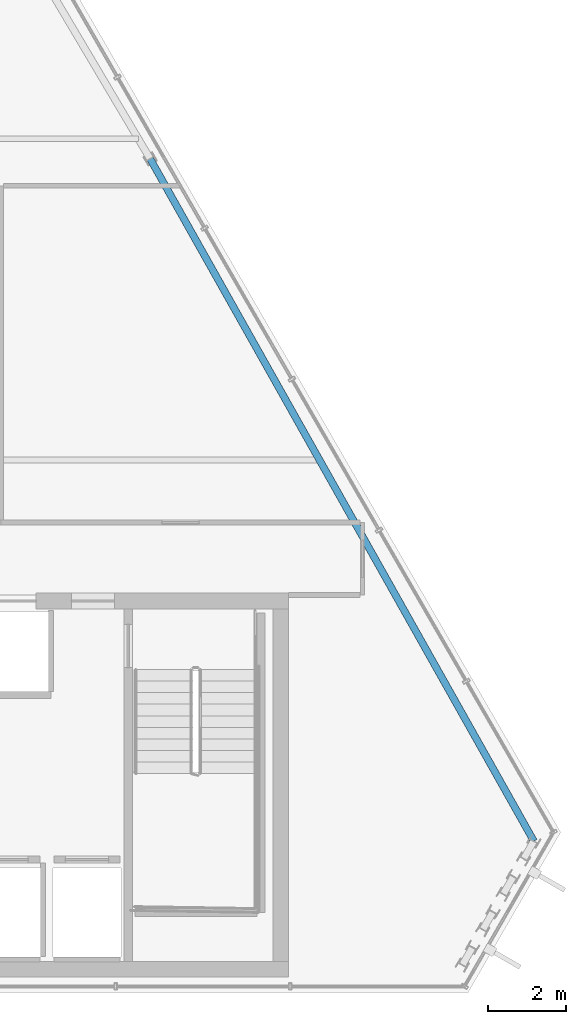
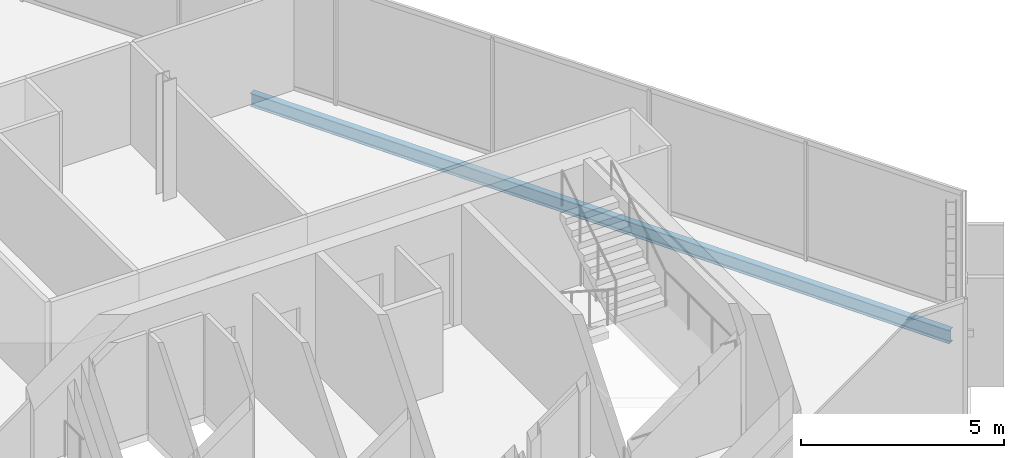
# One storey, part 21 of 32: 1 beam.
"""IFC4 building model written with IfcOpenShell, lengths in metres."""

from ifc_helpers import new_model, si_unit, direction, frame, origin, origin_2d, place, context, subcontext, project, spatial, i_section, extrude, material, material_profile, profile_set, type_object, element, save


model = new_model("IFC4")

# Units and contexts
model_context = context("Model", 3, precision=1e-05, world=origin(), true_north=direction((0.0, 1.0)))
body_context = subcontext(model_context, "Body", "Model", "MODEL_VIEW")
ifc_project = project(units=[si_unit("LENGTHUNIT", "METRE"), si_unit("AREAUNIT", "SQUARE_METRE"), si_unit("VOLUMEUNIT", "CUBIC_METRE"), si_unit("PLANEANGLEUNIT", "RADIAN"), si_unit("MASSUNIT", "GRAM", prefix="KILO")], contexts=[model_context])

# Site, building, storey
site_placement = place(None, origin())
site = spatial("IfcSite", under=ifc_project, at=site_placement, CompositionType="ELEMENT")
building_placement = place(site_placement, origin())
building = spatial("IfcBuilding", under=site, at=building_placement, Name="Ndaravel Arena Tower", CompositionType="ELEMENT")
storey_placement = place(building_placement, frame((0.0, 0.0, 287.10009765625)))
storey = spatial("IfcBuildingStorey", under=building, at=storey_placement, Name="L70", CompositionType="ELEMENT", Elevation=287.10009765625)

# Beam
ifc_material = material(Name="Steel S355", Category="steel")
ifc_material_profile = material_profile(ifc_material, i_section(OverallWidth=0.179931640625, OverallDepth=0.39990234375, WebThickness=0.008544921875, FlangeThickness=0.013427734375, FilletRadius=0.02099609375, at=origin_2d()), Name="IPE 400")
ifc_profile_set = profile_set([ifc_material_profile], Name="Steel S355")
beam_type = type_object("IfcBeamType", Name="BM-SPAN-IPE400", PredefinedType="SPANDREL", material=ifc_profile_set)
beam_placement = place(storey_placement, frame((63.807373046875, 8.869873046875, -0.420166015625), z_axis=(-0.490170744619, 0.871626434386, 0.0), x_axis=(-0.871626434386, -0.490170744619, 0.0)))
element("IfcBeam", 1, at=beam_placement, inside=storey, type_object=beam_type, Name="L70 Perimeter Spandrel Beam SP-09", PredefinedType="SPANDREL", context=body_context, shape_type="SweptSolid", body=[
    extrude(i_section(OverallWidth=0.179931640625, OverallDepth=0.39990234375, WebThickness=0.008544921875, FlangeThickness=0.013427734375, FilletRadius=0.02099609375, at=origin_2d()), origin(), (0.0, 0.0, 1.0), 19.982177734375),
])

save(model, "model.ifc")
